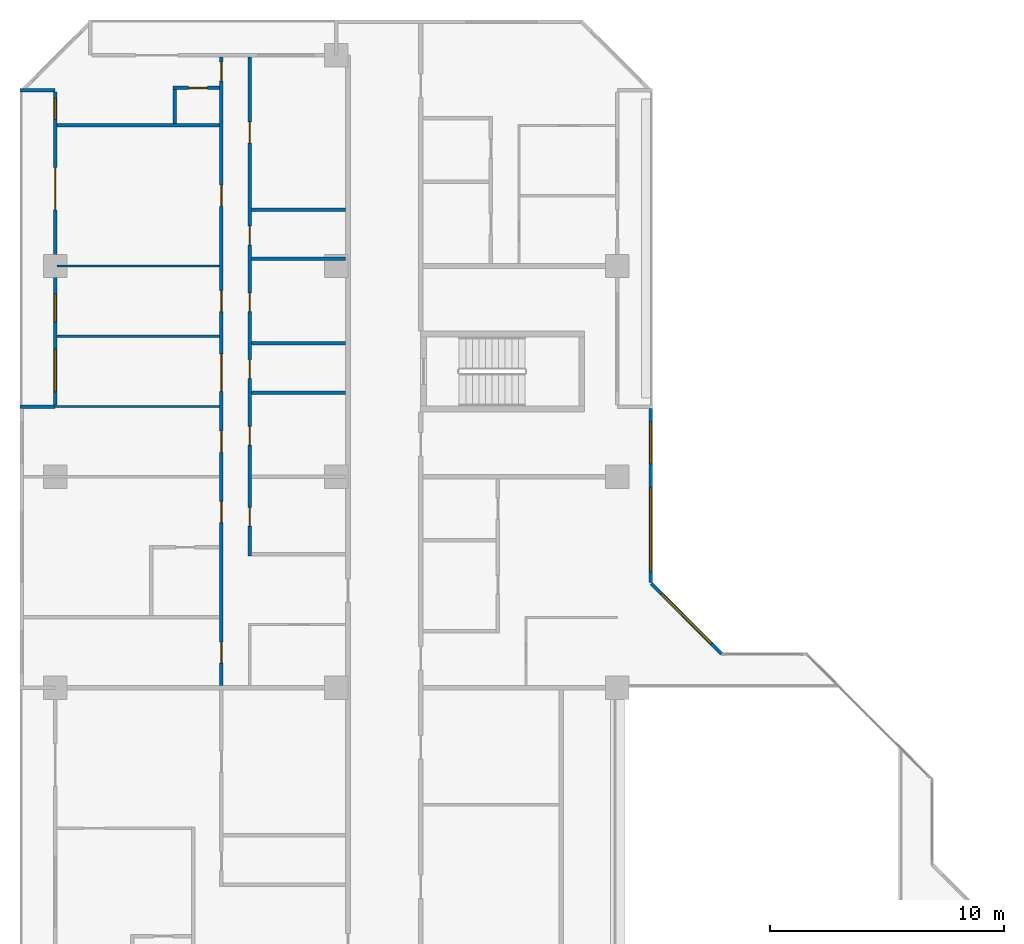
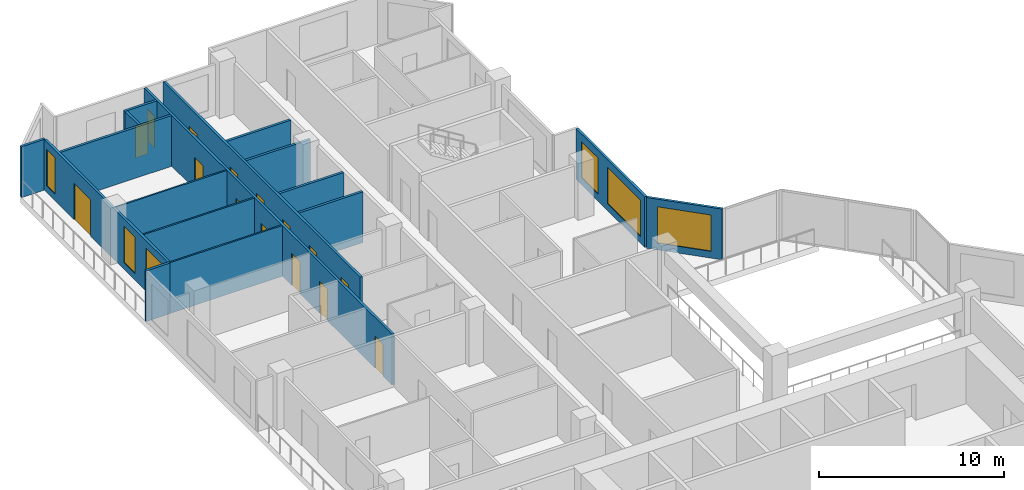
# One storey, part 10 of 15: 17 walls, 15 doors, 6 windows, 21 openings.
"""IFC4 building model written with IfcOpenShell, lengths in metres."""

from ifc_helpers import new_model, si_unit, direction, frame, frame_2d, origin, place, context, subcontext, project, spatial, rectangle, extrude, material, layer, layer_set, type_object, element, fill, save


model = new_model("IFC4")

# Units and contexts
model_context = context("Model", 3, precision=1e-05, world=origin(), true_north=direction((0.0, 1.0)))
body_context = subcontext(model_context, "Body", "Model", "MODEL_VIEW")
ifc_project = project(units=[si_unit("LENGTHUNIT", "METRE"), si_unit("AREAUNIT", "SQUARE_METRE"), si_unit("VOLUMEUNIT", "CUBIC_METRE"), si_unit("PLANEANGLEUNIT", "RADIAN"), si_unit("MASSUNIT", "GRAM", prefix="KILO")], contexts=[model_context])

# Site, building, storey
site_placement = place(None, origin())
site = spatial("IfcSite", under=ifc_project, at=site_placement, CompositionType="ELEMENT")
building_placement = place(site_placement, origin())
building = spatial("IfcBuilding", under=site, at=building_placement, Name="Chenar Terraces", CompositionType="ELEMENT")
storey_placement = place(building_placement, frame((0.0, 0.0, 125.64990234375)))
storey = spatial("IfcBuildingStorey", under=building, at=storey_placement, Name="L29", CompositionType="ELEMENT", Elevation=125.64990234375)

# Wall, openings, windows
ifc_material_1 = material(Name="Aluminium framed glazing", Category="aluminium")
ifc_layer_1 = layer(ifc_material_1, 0.14990234375)
ifc_layer_set_1 = layer_set([ifc_layer_1], Name="Aluminium framed glazing")
wall_type_1 = type_object("IfcWallType", Name="Glazed flush facade wall 150", PredefinedType="SOLIDWALL", material=ifc_layer_set_1)
wall_1_placement = place(storey_placement, frame((25.425048828125, 40.5, 0.0), z_axis=(0.0, 0.0, 1.0), x_axis=(0.0, 1.0, 0.0)))
wall_1 = element("IfcWall", 1, at=wall_1_placement, inside=storey, type_object=wall_type_1, Name="Glazed flush facade wall", PredefinedType="SOLIDWALL", context=body_context, shape_type="SweptSolid", body=[
    extrude(rectangle(XDim=7.425048828125, YDim=0.14990234375, at=frame_2d((3.71240234375, 0.0))), origin(), (0.0, 0.0, 1.0), 3.35009765625),
])
opening_1_placement = place(wall_1_placement, frame((0.449951171875, 0.0, 0.449951171875)))
opening_1 = element("IfcOpeningElement", 2, at=opening_1_placement, cuts=wall_1, Name="Opening W360x240", PredefinedType="OPENING", context=body_context, shape_type="SweptSolid", body=[
    extrude(rectangle(XDim=3.60009765625, YDim=2.39990234375, at=frame_2d((1.800048828125, 1.199951171875))), frame((0.0, 0.0849609375, 0.0), z_axis=(0.0, -1.0, 0.0), x_axis=(1.0, 0.0, 0.0)), (0.0, 0.0, 1.0), 0.169921875),
])
opening_2_placement = place(wall_1_placement, frame((5.0625, 0.0, 0.449951171875)))
opening_2 = element("IfcOpeningElement", 3, at=opening_2_placement, cuts=wall_1, Name="Opening W180x240", PredefinedType="OPENING", context=body_context, shape_type="SweptSolid", body=[
    extrude(rectangle(XDim=1.800048828125, YDim=2.39990234375, at=frame_2d((0.89990234375, 1.199951171875))), frame((0.0, 0.0849609375, 0.0), z_axis=(0.0, -1.0, 0.0), x_axis=(1.0, 0.0, 0.0)), (0.0, 0.0, 1.0), 0.169921875),
])
ifc_material_2 = material(Name="Low emissivity double glazing, aluminium frame", Category="aluminium")
window_type_1 = type_object("IfcWindowType", Name="Fixed light 1800 x 2400", PartitioningType="SINGLE_PANEL", PredefinedType="WINDOW", material=ifc_material_2)
window_1_placement = place(opening_2_placement, origin())
window_1 = element("IfcWindow", 4, at=window_1_placement, inside=storey, type_object=window_type_1, Name="Window", OverallHeight=2.39990234375, OverallWidth=1.800048828125, PartitioningType="SINGLE_PANEL", PredefinedType="WINDOW", context=body_context, shape_type="SweptSolid", body=[
    extrude(rectangle(XDim=1.800048828125, YDim=2.39990234375, at=frame_2d((0.89990234375, 1.199951171875))), frame((0.0, 0.030029296875, 0.0), z_axis=(0.0, -1.0, 0.0), x_axis=(1.0, 0.0, 0.0)), (0.0, 0.0, 1.0), 0.06005859375),
])
fill(opening_2, window_1)
ifc_material_3 = material(Name="Low emissivity double glazing, aluminium frame", Category="aluminium")
window_type_2 = type_object("IfcWindowType", Name="Fixed light 3600 x 2400", PartitioningType="SINGLE_PANEL", PredefinedType="WINDOW", material=ifc_material_3)
window_2_placement = place(opening_1_placement, origin())
window_2 = element("IfcWindow", 5, at=window_2_placement, inside=storey, type_object=window_type_2, Name="Window", OverallHeight=2.39990234375, OverallWidth=3.60009765625, PartitioningType="SINGLE_PANEL", PredefinedType="WINDOW", context=body_context, shape_type="SweptSolid", body=[
    extrude(rectangle(XDim=3.60009765625, YDim=2.39990234375, at=frame_2d((1.800048828125, 1.199951171875))), frame((0.0, 0.030029296875, 0.0), z_axis=(0.0, -1.0, 0.0), x_axis=(1.0, 0.0, 0.0)), (0.0, 0.0, 1.0), 0.06005859375),
])
fill(opening_1, window_2)

# Wall, openings, windows, door
ifc_material_4 = material(Name="Aluminium framed glazing", Category="aluminium")
ifc_layer_2 = layer(ifc_material_4, 0.14990234375)
ifc_layer_set_2 = layer_set([ifc_layer_2], Name="Aluminium framed glazing")
wall_type_2 = type_object("IfcWallType", Name="Glazed loggia back wall 150", PredefinedType="SOLIDWALL", material=ifc_layer_set_2)
wall_2_placement = place(storey_placement, frame((0.0, 61.425048828125, 0.0), z_axis=(0.0, 0.0, 1.0), x_axis=(0.0, -1.0, 0.0)))
wall_2 = element("IfcWall", 6, at=wall_2_placement, inside=storey, type_object=wall_type_2, Name="Glazed loggia back wall", PredefinedType="SOLIDWALL", context=body_context, shape_type="SweptSolid", body=[
    extrude(rectangle(XDim=13.35009765625, YDim=0.14990234375, at=frame_2d((6.675048828125, 0.0))), origin(), (0.0, 0.0, 1.0), 3.35009765625),
])
opening_3_placement = place(wall_2_placement, frame((0.262451171875, 0.0, 0.449951171875)))
opening_3 = element("IfcOpeningElement", 7, at=opening_3_placement, cuts=wall_2, Name="Opening W90x240", PredefinedType="OPENING", context=body_context, shape_type="SweptSolid", body=[
    extrude(rectangle(XDim=0.89990234375, YDim=2.39990234375, at=frame_2d((0.449951171875, 1.199951171875))), frame((0.0, 0.0849609375, 0.0), z_axis=(0.0, -1.0, 0.0), x_axis=(1.0, 0.0, 0.0)), (0.0, 0.0, 1.0), 0.169921875),
])
opening_4_placement = place(wall_2_placement, frame((3.22509765625, 0.0, 0.0)))
opening_4 = element("IfcOpeningElement", 8, at=opening_4_placement, cuts=wall_2, Name="Opening DL29-G4", PredefinedType="OPENING", context=body_context, shape_type="SweptSolid", body=[
    extrude(rectangle(XDim=1.800048828125, YDim=2.39990234375, at=frame_2d((0.89990234375, 1.199951171875))), frame((0.0, 0.0849609375, 0.0), z_axis=(0.0, -1.0, 0.0), x_axis=(1.0, 0.0, 0.0)), (0.0, 0.0, 1.0), 0.169921875),
])
opening_5_placement = place(wall_2_placement, frame((8.625, 0.0, 0.449951171875)))
opening_5 = element("IfcOpeningElement", 9, at=opening_5_placement, cuts=wall_2, Name="Opening W120x240", PredefinedType="OPENING", context=body_context, shape_type="SweptSolid", body=[
    extrude(rectangle(XDim=1.199951171875, YDim=2.39990234375, at=frame_2d((0.60009765625, 1.199951171875))), frame((0.0, 0.0849609375, 0.0), z_axis=(0.0, -1.0, 0.0), x_axis=(1.0, 0.0, 0.0)), (0.0, 0.0, 1.0), 0.169921875),
])
opening_6_placement = place(wall_2_placement, frame((10.987548828125, 0.0, 0.449951171875)))
opening_6 = element("IfcOpeningElement", 10, at=opening_6_placement, cuts=wall_2, Name="Opening W180x240", PredefinedType="OPENING", context=body_context, shape_type="SweptSolid", body=[
    extrude(rectangle(XDim=1.800048828125, YDim=2.39990234375, at=frame_2d((0.89990234375, 1.199951171875))), frame((0.0, 0.0849609375, 0.0), z_axis=(0.0, -1.0, 0.0), x_axis=(1.0, 0.0, 0.0)), (0.0, 0.0, 1.0), 0.169921875),
])
ifc_material_5 = material(Name="Low emissivity double glazing, aluminium frame", Category="aluminium")
window_type_3 = type_object("IfcWindowType", Name="Fixed light 1200 x 2400", PartitioningType="SINGLE_PANEL", PredefinedType="WINDOW", material=ifc_material_5)
window_3_placement = place(opening_5_placement, origin())
window_3 = element("IfcWindow", 11, at=window_3_placement, inside=storey, type_object=window_type_3, Name="Window", OverallHeight=2.39990234375, OverallWidth=1.199951171875, PartitioningType="SINGLE_PANEL", PredefinedType="WINDOW", context=body_context, shape_type="SweptSolid", body=[
    extrude(rectangle(XDim=1.199951171875, YDim=2.39990234375, at=frame_2d((0.60009765625, 1.199951171875))), frame((0.0, 0.030029296875, 0.0), z_axis=(0.0, -1.0, 0.0), x_axis=(1.0, 0.0, 0.0)), (0.0, 0.0, 1.0), 0.06005859375),
])
fill(opening_5, window_3)
window_4_placement = place(opening_6_placement, origin())
window_4 = element("IfcWindow", 12, at=window_4_placement, inside=storey, type_object=window_type_1, Name="Window", OverallHeight=2.39990234375, OverallWidth=1.800048828125, PartitioningType="SINGLE_PANEL", PredefinedType="WINDOW", context=body_context, shape_type="SweptSolid", body=[
    extrude(rectangle(XDim=1.800048828125, YDim=2.39990234375, at=frame_2d((0.89990234375, 1.199951171875))), frame((0.0, 0.030029296875, 0.0), z_axis=(0.0, -1.0, 0.0), x_axis=(1.0, 0.0, 0.0)), (0.0, 0.0, 1.0), 0.06005859375),
])
fill(opening_6, window_4)
ifc_material_6 = material(Name="Low emissivity double glazing, aluminium frame", Category="aluminium")
window_type_4 = type_object("IfcWindowType", Name="Fixed light 900 x 2400", PartitioningType="SINGLE_PANEL", PredefinedType="WINDOW", material=ifc_material_6)
window_5_placement = place(opening_3_placement, origin())
window_5 = element("IfcWindow", 13, at=window_5_placement, inside=storey, type_object=window_type_4, Name="Window", OverallHeight=2.39990234375, OverallWidth=0.89990234375, PartitioningType="SINGLE_PANEL", PredefinedType="WINDOW", context=body_context, shape_type="SweptSolid", body=[
    extrude(rectangle(XDim=0.89990234375, YDim=2.39990234375, at=frame_2d((0.449951171875, 1.199951171875))), frame((0.0, 0.030029296875, 0.0), z_axis=(0.0, -1.0, 0.0), x_axis=(1.0, 0.0, 0.0)), (0.0, 0.0, 1.0), 0.06005859375),
])
fill(opening_3, window_5)
ifc_material_7 = material(Name="Low emissivity double glazing, aluminium frame", Category="aluminium")
door_type_1 = type_object("IfcDoorType", Name="Loggia glazed double door 1800 x 2400", OperationType="DOUBLE_DOOR_SINGLE_SWING", PredefinedType="DOOR", material=ifc_material_7)
door_1_placement = place(opening_4_placement, frame((1.800048828125, 0.0, 0.0), z_axis=(0.0, 0.0, 1.0), x_axis=(-1.0, 0.0, 0.0)))
door_1 = element("IfcDoor", 14, at=door_1_placement, inside=storey, type_object=door_type_1, Name="Loggia glazed door", OperationType="DOUBLE_DOOR_SINGLE_SWING", OverallHeight=2.39990234375, OverallWidth=1.800048828125, PredefinedType="DOOR", context=body_context, shape_type="SweptSolid", body=[
    extrude(rectangle(XDim=1.800048828125, YDim=2.39990234375, at=frame_2d((0.89990234375, 1.199951171875))), frame((0.0, 0.02490234375, 0.0), z_axis=(0.0, -1.0, 0.0), x_axis=(1.0, 0.0, 0.0)), (0.0, 0.0, 1.0), 0.050048828125),
])
fill(opening_4, door_1)

# Walls
ifc_material_8 = material(Name="Gypsum board on steel studs", Category="steel")
ifc_layer_3 = layer(ifc_material_8, 0.10009765625)
ifc_layer_set_3 = layer_set([ifc_layer_3], Name="Gypsum board on steel studs")
wall_type_3 = type_object("IfcWallType", Name="Gypsum partition 100", PredefinedType="PARTITIONING", material=ifc_layer_set_3)
wall_3_placement = place(storey_placement, frame((0.0, 48.0, 0.0), z_axis=(0.0, 0.0, 1.0), x_axis=(1.0, 0.0, 0.0)))
element("IfcWall", 15, at=wall_3_placement, inside=storey, type_object=wall_type_3, Name="Partition L29-006", PredefinedType="PARTITIONING", context=body_context, shape_type="SweptSolid", body=[
    extrude(rectangle(XDim=7.02490234375, YDim=0.10009765625, at=frame_2d((3.512451171875, 0.0))), origin(), (0.0, 0.0, 1.0), 3.35009765625),
])
for number, where, z_axis, x_axis, name in (
    (16, (0.073974609375, 51.0, 0.0), (0.0, 0.0, 1.0), (1.0, 0.0, 0.0), "Partition L29-008"),
    (17, (0.073974609375, 54.0, 0.0), (0.0, 0.0, 1.0), (1.0, 0.0, 0.0), "Partition L29-009"),
):
    element("IfcWall", number, at=place(storey_placement, frame(where, z_axis=z_axis, x_axis=x_axis)), inside=storey, type_object=wall_type_3, Name=name, PredefinedType="PARTITIONING", context=body_context, shape_type="SweptSolid", body=[
        extrude(rectangle(XDim=6.950927734375, YDim=0.10009765625, at=frame_2d((3.4755859375, 0.0))), origin(), (0.0, 0.0, 1.0), 3.35009765625),
    ])
ifc_material_9 = material(Name="Terracotta cladding on insulated backing", Category="masonry")
ifc_layer_4 = layer(ifc_material_9, 0.14990234375)
ifc_layer_set_4 = layer_set([ifc_layer_4], Name="Terracotta cladding on insulated backing")
wall_type_4 = type_object("IfcWallType", Name="Loggia return wall 150", PredefinedType="SOLIDWALL", material=ifc_layer_set_4)
for number, where, z_axis, x_axis, name in (
    (18, (-1.5, 61.5, 0.0), (0.0, 0.0, 1.0), (1.0, 0.0, 0.0), "Loggia return wall"),
    (19, (-1.5, 48.0, 0.0), (0.0, 0.0, 1.0), (1.0, 0.0, 0.0), "Loggia return wall"),
):
    element("IfcWall", number, at=place(storey_placement, frame(where, z_axis=z_axis, x_axis=x_axis)), inside=storey, type_object=wall_type_4, Name=name, PredefinedType="SOLIDWALL", context=body_context, shape_type="SweptSolid", body=[
        extrude(rectangle(XDim=1.5, YDim=0.14990234375, at=frame_2d((0.75, 0.0))), origin(), (0.0, 0.0, 1.0), 3.35009765625),
    ])

# Wall, opening, window
ifc_material_10 = material(Name="Terracotta cladding on insulated backing", Category="masonry")
ifc_layer_5 = layer(ifc_material_10, 0.14990234375)
ifc_layer_set_5 = layer_set([ifc_layer_5], Name="Terracotta cladding on insulated backing")
wall_type_5 = type_object("IfcWallType", Name="Terracotta rainscreen wall 150", PredefinedType="SOLIDWALL", material=ifc_layer_set_5)
wall_4_placement = place(storey_placement, frame((28.447021484375, 37.447021484375, 0.0), z_axis=(0.0, 0.0, 1.0), x_axis=(-0.707106781187, 0.707106781187, 0.0)))
wall_4 = element("IfcWall", 20, at=wall_4_placement, inside=storey, type_object=wall_type_5, Name="Terracotta rainscreen wall", PredefinedType="SOLIDWALL", context=body_context, shape_type="SweptSolid", body=[
    extrude(rectangle(XDim=4.24267578125, YDim=0.14990234375, at=frame_2d((2.121337890625, 0.0))), origin(), (0.0, 0.0, 1.0), 3.35009765625),
])
opening_7_placement = place(wall_4_placement, frame((0.621337890625, 0.0, 0.449951171875)))
opening_7 = element("IfcOpeningElement", 21, at=opening_7_placement, cuts=wall_4, Name="Opening W300x240", PredefinedType="OPENING", context=body_context, shape_type="SweptSolid", body=[
    extrude(rectangle(XDim=3.0, YDim=2.39990234375, at=frame_2d((1.5, 1.199951171875))), frame((0.0, 0.0849609375, 0.0), z_axis=(0.0, -1.0, 0.0), x_axis=(1.0, 0.0, 0.0)), (0.0, 0.0, 1.0), 0.169921875),
])
ifc_material_11 = material(Name="Low emissivity double glazing, aluminium frame", Category="aluminium")
window_type_5 = type_object("IfcWindowType", Name="Fixed light 3000 x 2400", PartitioningType="SINGLE_PANEL", PredefinedType="WINDOW", material=ifc_material_11)
window_6_placement = place(opening_7_placement, origin())
window_6 = element("IfcWindow", 22, at=window_6_placement, inside=storey, type_object=window_type_5, Name="Window", OverallHeight=2.39990234375, OverallWidth=3.0, PartitioningType="SINGLE_PANEL", PredefinedType="WINDOW", context=body_context, shape_type="SweptSolid", body=[
    extrude(rectangle(XDim=3.0, YDim=2.39990234375, at=frame_2d((1.5, 1.199951171875))), frame((0.0, 0.030029296875, 0.0), z_axis=(0.0, -1.0, 0.0), x_axis=(1.0, 0.0, 0.0)), (0.0, 0.0, 1.0), 0.06005859375),
])
fill(opening_7, window_6)

# Wall
ifc_material_12 = material(Name="Moisture-resistant gypsum board on steel studs", Category="steel")
ifc_layer_6 = layer(ifc_material_12, 0.14990234375)
ifc_layer_set_6 = layer_set([ifc_layer_6], Name="Moisture-resistant gypsum board on steel studs")
wall_type_6 = type_object("IfcWallType", Name="Wet-room partition 150", PredefinedType="PARTITIONING", material=ifc_layer_set_6)
wall_5_placement = place(storey_placement, frame((0.073974609375, 60.0, 0.0), z_axis=(0.0, 0.0, 1.0), x_axis=(1.0, 0.0, 0.0)))
element("IfcWall", 23, at=wall_5_placement, inside=storey, type_object=wall_type_6, Name="Partition L29-010", PredefinedType="PARTITIONING", context=body_context, shape_type="SweptSolid", body=[
    extrude(rectangle(XDim=6.950927734375, YDim=0.14990234375, at=frame_2d((3.4755859375, 0.0))), origin(), (0.0, 0.0, 1.0), 3.35009765625),
])

# Wall, opening, door
wall_6_placement = place(storey_placement, frame((5.02490234375, 61.60009765625, 0.0), z_axis=(0.0, 0.0, 1.0), x_axis=(1.0, 0.0, 0.0)))
wall_6 = element("IfcWall", 24, at=wall_6_placement, inside=storey, type_object=wall_type_6, Name="Partition L29-016", PredefinedType="PARTITIONING", context=body_context, shape_type="SweptSolid", body=[
    extrude(rectangle(XDim=2.0, YDim=0.14990234375, at=frame_2d((1.0, 0.0))), origin(), (0.0, 0.0, 1.0), 3.35009765625),
])
opening_8_placement = place(wall_6_placement, frame((0.675048828125, 0.0, 0.0)))
opening_8 = element("IfcOpeningElement", 25, at=opening_8_placement, cuts=wall_6, Name="Opening DL29-42", PredefinedType="OPENING", context=body_context, shape_type="SweptSolid", body=[
    extrude(rectangle(XDim=0.800048828125, YDim=2.10009765625, at=frame_2d((0.39990234375, 1.050048828125))), frame((0.0, 0.0849609375, 0.0), z_axis=(0.0, -1.0, 0.0), x_axis=(1.0, 0.0, 0.0)), (0.0, 0.0, 1.0), 0.169921875),
])
ifc_material_13 = material(Name="Veneered timber door leaf", Category="wood")
door_type_2 = type_object("IfcDoorType", Name="Door 800 x 2100", OperationType="SINGLE_SWING_LEFT", PredefinedType="DOOR", material=ifc_material_13)
door_2_placement = place(opening_8_placement, frame((0.800048828125, 0.0, 0.0), z_axis=(0.0, 0.0, 1.0), x_axis=(-1.0, 0.0, 0.0)))
door_2 = element("IfcDoor", 26, at=door_2_placement, inside=storey, type_object=door_type_2, Name="Door DL29-42", OperationType="SINGLE_SWING_RIGHT", OverallHeight=2.10009765625, OverallWidth=0.800048828125, PredefinedType="DOOR", context=body_context, shape_type="SweptSolid", body=[
    extrude(rectangle(XDim=0.800048828125, YDim=2.10009765625, at=frame_2d((0.39990234375, 1.050048828125))), frame((0.0, 0.02490234375, 0.0), z_axis=(0.0, -1.0, 0.0), x_axis=(1.0, 0.0, 0.0)), (0.0, 0.0, 1.0), 0.050048828125),
])
fill(opening_8, door_2)

# Wall
wall_7_placement = place(storey_placement, frame((5.10009765625, 60.074951171875, 0.0), z_axis=(0.0, 0.0, 1.0), x_axis=(0.0, 1.0, 0.0)))
element("IfcWall", 27, at=wall_7_placement, inside=storey, type_object=wall_type_6, Name="Partition L29-017", PredefinedType="PARTITIONING", context=body_context, shape_type="SweptSolid", body=[
    extrude(rectangle(XDim=1.449951171875, YDim=0.14990234375, at=frame_2d((0.72509765625, 0.0))), origin(), (0.0, 0.0, 1.0), 3.35009765625),
])

# Wall, openings, doors
wall_8_placement = place(storey_placement, frame((7.10009765625, 36.10009765625, 0.0), z_axis=(0.0, 0.0, 1.0), x_axis=(0.0, 1.0, 0.0)))
wall_8 = element("IfcWall", 28, at=wall_8_placement, inside=storey, type_object=wall_type_6, Name="Partition L29-020", PredefinedType="PARTITIONING", context=body_context, shape_type="SweptSolid", body=[
    extrude(rectangle(XDim=26.825927734375, YDim=0.14990234375, at=frame_2d((13.4130859375, 0.0))), origin(), (0.0, 0.0, 1.0), 3.35009765625),
])
opening_9_placement = place(wall_8_placement, frame((0.949951171875, 0.0, 0.0)))
opening_9 = element("IfcOpeningElement", 29, at=opening_9_placement, cuts=wall_8, Name="Opening DL29-33", PredefinedType="OPENING", context=body_context, shape_type="SweptSolid", body=[
    extrude(rectangle(XDim=0.89990234375, YDim=2.10009765625, at=frame_2d((0.449951171875, 1.050048828125))), frame((0.0, 0.0849609375, 0.0), z_axis=(0.0, -1.0, 0.0), x_axis=(1.0, 0.0, 0.0)), (0.0, 0.0, 1.0), 0.169921875),
])
opening_10_placement = place(wall_8_placement, frame((9.949951171875, 0.0, 0.0)))
opening_10 = element("IfcOpeningElement", 30, at=opening_10_placement, cuts=wall_8, Name="Opening DL29-34", PredefinedType="OPENING", context=body_context, shape_type="SweptSolid", body=[
    extrude(rectangle(XDim=0.89990234375, YDim=2.10009765625, at=frame_2d((0.449951171875, 1.050048828125))), frame((0.0, 0.0849609375, 0.0), z_axis=(0.0, -1.0, 0.0), x_axis=(1.0, 0.0, 0.0)), (0.0, 0.0, 1.0), 0.169921875),
])
opening_11_placement = place(wall_8_placement, frame((6.949951171875, 0.0, 0.0)))
opening_11 = element("IfcOpeningElement", 31, at=opening_11_placement, cuts=wall_8, Name="Opening DL29-35", PredefinedType="OPENING", context=body_context, shape_type="SweptSolid", body=[
    extrude(rectangle(XDim=0.89990234375, YDim=2.10009765625, at=frame_2d((0.449951171875, 1.050048828125))), frame((0.0, 0.0849609375, 0.0), z_axis=(0.0, -1.0, 0.0), x_axis=(1.0, 0.0, 0.0)), (0.0, 0.0, 1.0), 0.169921875),
])
opening_12_placement = place(wall_8_placement, frame((20.449951171875, 0.0, 0.0)))
opening_12 = element("IfcOpeningElement", 32, at=opening_12_placement, cuts=wall_8, Name="Opening DL29-40", PredefinedType="OPENING", context=body_context, shape_type="SweptSolid", body=[
    extrude(rectangle(XDim=0.89990234375, YDim=2.10009765625, at=frame_2d((0.449951171875, 1.050048828125))), frame((0.0, 0.0849609375, 0.0), z_axis=(0.0, -1.0, 0.0), x_axis=(1.0, 0.0, 0.0)), (0.0, 0.0, 1.0), 0.169921875),
])
opening_13_placement = place(wall_8_placement, frame((25.800048828125, 0.0, 0.0)))
opening_13 = element("IfcOpeningElement", 33, at=opening_13_placement, cuts=wall_8, Name="Opening DL29-41", PredefinedType="OPENING", context=body_context, shape_type="SweptSolid", body=[
    extrude(rectangle(XDim=0.800048828125, YDim=2.10009765625, at=frame_2d((0.39990234375, 1.050048828125))), frame((0.0, 0.0849609375, 0.0), z_axis=(0.0, -1.0, 0.0), x_axis=(1.0, 0.0, 0.0)), (0.0, 0.0, 1.0), 0.169921875),
])
opening_14_placement = place(wall_8_placement, frame((12.550048828125, 0.0, 0.0)))
opening_14 = element("IfcOpeningElement", 34, at=opening_14_placement, cuts=wall_8, Name="Opening DL29-43", PredefinedType="OPENING", context=body_context, shape_type="SweptSolid", body=[
    extrude(rectangle(XDim=1.60009765625, YDim=2.10009765625, at=frame_2d((0.800048828125, 1.050048828125))), frame((0.0, 0.0849609375, 0.0), z_axis=(0.0, -1.0, 0.0), x_axis=(1.0, 0.0, 0.0)), (0.0, 0.0, 1.0), 0.169921875),
])
opening_15_placement = place(wall_8_placement, frame((15.949951171875, 0.0, 0.0)))
opening_15 = element("IfcOpeningElement", 35, at=opening_15_placement, cuts=wall_8, Name="Opening DL29-45", PredefinedType="OPENING", context=body_context, shape_type="SweptSolid", body=[
    extrude(rectangle(XDim=0.89990234375, YDim=2.10009765625, at=frame_2d((0.449951171875, 1.050048828125))), frame((0.0, 0.0849609375, 0.0), z_axis=(0.0, -1.0, 0.0), x_axis=(1.0, 0.0, 0.0)), (0.0, 0.0, 1.0), 0.169921875),
])
door_3_placement = place(opening_13_placement, origin())
door_3 = element("IfcDoor", 36, at=door_3_placement, inside=storey, type_object=door_type_2, Name="Door DL29-41", OperationType="SINGLE_SWING_RIGHT", OverallHeight=2.10009765625, OverallWidth=0.800048828125, PredefinedType="DOOR", context=body_context, shape_type="SweptSolid", body=[
    extrude(rectangle(XDim=0.800048828125, YDim=2.10009765625, at=frame_2d((0.39990234375, 1.050048828125))), frame((0.0, 0.02490234375, 0.0), z_axis=(0.0, -1.0, 0.0), x_axis=(1.0, 0.0, 0.0)), (0.0, 0.0, 1.0), 0.050048828125),
])
fill(opening_13, door_3)
ifc_material_14 = material(Name="Veneered timber door leaf", Category="wood")
door_type_3 = type_object("IfcDoorType", Name="Door 900 x 2100", OperationType="SINGLE_SWING_LEFT", PredefinedType="DOOR", material=ifc_material_14)
door_4_placement = place(opening_9_placement, origin())
door_4 = element("IfcDoor", 37, at=door_4_placement, inside=storey, type_object=door_type_3, Name="Door DL29-33", OperationType="SINGLE_SWING_RIGHT", OverallHeight=2.10009765625, OverallWidth=0.89990234375, PredefinedType="DOOR", context=body_context, shape_type="SweptSolid", body=[
    extrude(rectangle(XDim=0.89990234375, YDim=2.10009765625, at=frame_2d((0.449951171875, 1.050048828125))), frame((0.0, 0.02490234375, 0.0), z_axis=(0.0, -1.0, 0.0), x_axis=(1.0, 0.0, 0.0)), (0.0, 0.0, 1.0), 0.050048828125),
])
fill(opening_9, door_4)
door_5_placement = place(opening_10_placement, origin())
door_5 = element("IfcDoor", 38, at=door_5_placement, inside=storey, type_object=door_type_3, Name="Door DL29-34", OperationType="SINGLE_SWING_RIGHT", OverallHeight=2.10009765625, OverallWidth=0.89990234375, PredefinedType="DOOR", context=body_context, shape_type="SweptSolid", body=[
    extrude(rectangle(XDim=0.89990234375, YDim=2.10009765625, at=frame_2d((0.449951171875, 1.050048828125))), frame((0.0, 0.02490234375, 0.0), z_axis=(0.0, -1.0, 0.0), x_axis=(1.0, 0.0, 0.0)), (0.0, 0.0, 1.0), 0.050048828125),
])
fill(opening_10, door_5)
door_6_placement = place(opening_11_placement, origin())
door_6 = element("IfcDoor", 39, at=door_6_placement, inside=storey, type_object=door_type_3, Name="Door DL29-35", OperationType="SINGLE_SWING_RIGHT", OverallHeight=2.10009765625, OverallWidth=0.89990234375, PredefinedType="DOOR", context=body_context, shape_type="SweptSolid", body=[
    extrude(rectangle(XDim=0.89990234375, YDim=2.10009765625, at=frame_2d((0.449951171875, 1.050048828125))), frame((0.0, 0.02490234375, 0.0), z_axis=(0.0, -1.0, 0.0), x_axis=(1.0, 0.0, 0.0)), (0.0, 0.0, 1.0), 0.050048828125),
])
fill(opening_11, door_6)
door_7_placement = place(opening_12_placement, origin())
door_7 = element("IfcDoor", 40, at=door_7_placement, inside=storey, type_object=door_type_3, Name="Door DL29-40", OperationType="SINGLE_SWING_RIGHT", OverallHeight=2.10009765625, OverallWidth=0.89990234375, PredefinedType="DOOR", context=body_context, shape_type="SweptSolid", body=[
    extrude(rectangle(XDim=0.89990234375, YDim=2.10009765625, at=frame_2d((0.449951171875, 1.050048828125))), frame((0.0, 0.02490234375, 0.0), z_axis=(0.0, -1.0, 0.0), x_axis=(1.0, 0.0, 0.0)), (0.0, 0.0, 1.0), 0.050048828125),
])
fill(opening_12, door_7)
door_8_placement = place(opening_15_placement, origin())
door_8 = element("IfcDoor", 41, at=door_8_placement, inside=storey, type_object=door_type_3, Name="Door DL29-45", OperationType="SINGLE_SWING_RIGHT", OverallHeight=2.10009765625, OverallWidth=0.89990234375, PredefinedType="DOOR", context=body_context, shape_type="SweptSolid", body=[
    extrude(rectangle(XDim=0.89990234375, YDim=2.10009765625, at=frame_2d((0.449951171875, 1.050048828125))), frame((0.0, 0.02490234375, 0.0), z_axis=(0.0, -1.0, 0.0), x_axis=(1.0, 0.0, 0.0)), (0.0, 0.0, 1.0), 0.050048828125),
])
fill(opening_15, door_8)
ifc_material_15 = material(Name="Veneered timber door leaf", Category="wood")
door_type_4 = type_object("IfcDoorType", Name="Double door 1600 x 2100", OperationType="DOUBLE_DOOR_SINGLE_SWING", PredefinedType="DOOR", material=ifc_material_15)
door_9_placement = place(opening_14_placement, origin())
door_9 = element("IfcDoor", 42, at=door_9_placement, inside=storey, type_object=door_type_4, Name="Door DL29-43", OperationType="DOUBLE_DOOR_SINGLE_SWING", OverallHeight=2.10009765625, OverallWidth=1.60009765625, PredefinedType="DOOR", context=body_context, shape_type="SweptSolid", body=[
    extrude(rectangle(XDim=1.60009765625, YDim=2.10009765625, at=frame_2d((0.800048828125, 1.050048828125))), frame((0.0, 0.02490234375, 0.0), z_axis=(0.0, -1.0, 0.0), x_axis=(1.0, 0.0, 0.0)), (0.0, 0.0, 1.0), 0.050048828125),
])
fill(opening_14, door_9)

wall_9_placement = place(storey_placement, frame((8.300048828125, 41.625, 0.0), z_axis=(0.0, 0.0, 1.0), x_axis=(0.0, 1.0, 0.0)))
wall_9 = element("IfcWall", 43, at=wall_9_placement, inside=storey, type_object=wall_type_6, Name="Partition L29-025", PredefinedType="PARTITIONING", context=body_context, shape_type="SweptSolid", body=[
    extrude(rectangle(XDim=21.301025390625, YDim=0.14990234375, at=frame_2d((10.650390625, 0.0))), origin(), (0.0, 0.0, 1.0), 3.35009765625),
])
opening_16_placement = place(wall_9_placement, frame((4.72509765625, 0.0, 0.0)))
opening_16 = element("IfcOpeningElement", 44, at=opening_16_placement, cuts=wall_9, Name="Opening DL29-32", PredefinedType="OPENING", context=body_context, shape_type="SweptSolid", body=[
    extrude(rectangle(XDim=0.800048828125, YDim=2.10009765625, at=frame_2d((0.39990234375, 1.050048828125))), frame((0.0, 0.0849609375, 0.0), z_axis=(0.0, -1.0, 0.0), x_axis=(1.0, 0.0, 0.0)), (0.0, 0.0, 1.0), 0.169921875),
])
opening_17_placement = place(wall_9_placement, frame((17.625, 0.0, 0.0)))
opening_17 = element("IfcOpeningElement", 45, at=opening_17_placement, cuts=wall_9, Name="Opening DL29-38", PredefinedType="OPENING", context=body_context, shape_type="SweptSolid", body=[
    extrude(rectangle(XDim=0.89990234375, YDim=2.10009765625, at=frame_2d((0.449951171875, 1.050048828125))), frame((0.0, 0.0849609375, 0.0), z_axis=(0.0, -1.0, 0.0), x_axis=(1.0, 0.0, 0.0)), (0.0, 0.0, 1.0), 0.169921875),
])
opening_18_placement = place(wall_9_placement, frame((1.27490234375, 0.0, 0.0)))
opening_18 = element("IfcOpeningElement", 46, at=opening_18_placement, cuts=wall_9, Name="Opening DL29-39", PredefinedType="OPENING", context=body_context, shape_type="SweptSolid", body=[
    extrude(rectangle(XDim=0.800048828125, YDim=2.10009765625, at=frame_2d((0.39990234375, 1.050048828125))), frame((0.0, 0.0849609375, 0.0), z_axis=(0.0, -1.0, 0.0), x_axis=(1.0, 0.0, 0.0)), (0.0, 0.0, 1.0), 0.169921875),
])
opening_19_placement = place(wall_9_placement, frame((7.574951171875, 0.0, 0.0)))
opening_19 = element("IfcOpeningElement", 47, at=opening_19_placement, cuts=wall_9, Name="Opening DL29-46", PredefinedType="OPENING", context=body_context, shape_type="SweptSolid", body=[
    extrude(rectangle(XDim=0.800048828125, YDim=2.10009765625, at=frame_2d((0.39990234375, 1.050048828125))), frame((0.0, 0.0849609375, 0.0), z_axis=(0.0, -1.0, 0.0), x_axis=(1.0, 0.0, 0.0)), (0.0, 0.0, 1.0), 0.169921875),
])
opening_20_placement = place(wall_9_placement, frame((10.425048828125, 0.0, 0.0)))
opening_20 = element("IfcOpeningElement", 48, at=opening_20_placement, cuts=wall_9, Name="Opening DL29-47", PredefinedType="OPENING", context=body_context, shape_type="SweptSolid", body=[
    extrude(rectangle(XDim=0.800048828125, YDim=2.10009765625, at=frame_2d((0.39990234375, 1.050048828125))), frame((0.0, 0.0849609375, 0.0), z_axis=(0.0, -1.0, 0.0), x_axis=(1.0, 0.0, 0.0)), (0.0, 0.0, 1.0), 0.169921875),
])
opening_21_placement = place(wall_9_placement, frame((13.27490234375, 0.0, 0.0)))
opening_21 = element("IfcOpeningElement", 49, at=opening_21_placement, cuts=wall_9, Name="Opening DL29-48", PredefinedType="OPENING", context=body_context, shape_type="SweptSolid", body=[
    extrude(rectangle(XDim=0.800048828125, YDim=2.10009765625, at=frame_2d((0.39990234375, 1.050048828125))), frame((0.0, 0.0849609375, 0.0), z_axis=(0.0, -1.0, 0.0), x_axis=(1.0, 0.0, 0.0)), (0.0, 0.0, 1.0), 0.169921875),
])
door_10_placement = place(opening_16_placement, frame((0.800048828125, 0.0, 0.0), z_axis=(0.0, 0.0, 1.0), x_axis=(-1.0, 0.0, 0.0)))
door_10 = element("IfcDoor", 50, at=door_10_placement, inside=storey, type_object=door_type_2, Name="Door DL29-32", OperationType="SINGLE_SWING_RIGHT", OverallHeight=2.10009765625, OverallWidth=0.800048828125, PredefinedType="DOOR", context=body_context, shape_type="SweptSolid", body=[
    extrude(rectangle(XDim=0.800048828125, YDim=2.10009765625, at=frame_2d((0.39990234375, 1.050048828125))), frame((0.0, 0.02490234375, 0.0), z_axis=(0.0, -1.0, 0.0), x_axis=(1.0, 0.0, 0.0)), (0.0, 0.0, 1.0), 0.050048828125),
])
fill(opening_16, door_10)
door_11_placement = place(opening_18_placement, frame((0.800048828125, 0.0, 0.0), z_axis=(0.0, 0.0, 1.0), x_axis=(-1.0, 0.0, 0.0)))
door_11 = element("IfcDoor", 51, at=door_11_placement, inside=storey, type_object=door_type_2, Name="Door DL29-39", OperationType="SINGLE_SWING_RIGHT", OverallHeight=2.10009765625, OverallWidth=0.800048828125, PredefinedType="DOOR", context=body_context, shape_type="SweptSolid", body=[
    extrude(rectangle(XDim=0.800048828125, YDim=2.10009765625, at=frame_2d((0.39990234375, 1.050048828125))), frame((0.0, 0.02490234375, 0.0), z_axis=(0.0, -1.0, 0.0), x_axis=(1.0, 0.0, 0.0)), (0.0, 0.0, 1.0), 0.050048828125),
])
fill(opening_18, door_11)
door_12_placement = place(opening_19_placement, frame((0.800048828125, 0.0, 0.0), z_axis=(0.0, 0.0, 1.0), x_axis=(-1.0, 0.0, 0.0)))
door_12 = element("IfcDoor", 52, at=door_12_placement, inside=storey, type_object=door_type_2, Name="Door DL29-46", OperationType="SINGLE_SWING_RIGHT", OverallHeight=2.10009765625, OverallWidth=0.800048828125, PredefinedType="DOOR", context=body_context, shape_type="SweptSolid", body=[
    extrude(rectangle(XDim=0.800048828125, YDim=2.10009765625, at=frame_2d((0.39990234375, 1.050048828125))), frame((0.0, 0.02490234375, 0.0), z_axis=(0.0, -1.0, 0.0), x_axis=(1.0, 0.0, 0.0)), (0.0, 0.0, 1.0), 0.050048828125),
])
fill(opening_19, door_12)
door_13_placement = place(opening_20_placement, frame((0.800048828125, 0.0, 0.0), z_axis=(0.0, 0.0, 1.0), x_axis=(-1.0, 0.0, 0.0)))
door_13 = element("IfcDoor", 53, at=door_13_placement, inside=storey, type_object=door_type_2, Name="Door DL29-47", OperationType="SINGLE_SWING_RIGHT", OverallHeight=2.10009765625, OverallWidth=0.800048828125, PredefinedType="DOOR", context=body_context, shape_type="SweptSolid", body=[
    extrude(rectangle(XDim=0.800048828125, YDim=2.10009765625, at=frame_2d((0.39990234375, 1.050048828125))), frame((0.0, 0.02490234375, 0.0), z_axis=(0.0, -1.0, 0.0), x_axis=(1.0, 0.0, 0.0)), (0.0, 0.0, 1.0), 0.050048828125),
])
fill(opening_20, door_13)
door_14_placement = place(opening_21_placement, frame((0.800048828125, 0.0, 0.0), z_axis=(0.0, 0.0, 1.0), x_axis=(-1.0, 0.0, 0.0)))
door_14 = element("IfcDoor", 54, at=door_14_placement, inside=storey, type_object=door_type_2, Name="Door DL29-48", OperationType="SINGLE_SWING_RIGHT", OverallHeight=2.10009765625, OverallWidth=0.800048828125, PredefinedType="DOOR", context=body_context, shape_type="SweptSolid", body=[
    extrude(rectangle(XDim=0.800048828125, YDim=2.10009765625, at=frame_2d((0.39990234375, 1.050048828125))), frame((0.0, 0.02490234375, 0.0), z_axis=(0.0, -1.0, 0.0), x_axis=(1.0, 0.0, 0.0)), (0.0, 0.0, 1.0), 0.050048828125),
])
fill(opening_21, door_14)
door_15_placement = place(opening_17_placement, frame((0.89990234375, 0.0, 0.0), z_axis=(0.0, 0.0, 1.0), x_axis=(-1.0, 0.0, 0.0)))
door_15 = element("IfcDoor", 55, at=door_15_placement, inside=storey, type_object=door_type_3, Name="Door DL29-38", OperationType="SINGLE_SWING_LEFT", OverallHeight=2.10009765625, OverallWidth=0.89990234375, PredefinedType="DOOR", context=body_context, shape_type="SweptSolid", body=[
    extrude(rectangle(XDim=0.89990234375, YDim=2.10009765625, at=frame_2d((0.449951171875, 1.050048828125))), frame((0.0, 0.02490234375, 0.0), z_axis=(0.0, -1.0, 0.0), x_axis=(1.0, 0.0, 0.0)), (0.0, 0.0, 1.0), 0.050048828125),
])
fill(opening_17, door_15)

# Walls
for number, where, z_axis, x_axis, name in (
    (56, (8.375, 48.60009765625, 0.0), (0.0, 0.0, 1.0), (1.0, 0.0, 0.0), "Partition L29-028"),
    (57, (8.375, 50.699951171875, 0.0), (0.0, 0.0, 1.0), (1.0, 0.0, 0.0), "Partition L29-029"),
    (58, (8.375, 54.300048828125, 0.0), (0.0, 0.0, 1.0), (1.0, 0.0, 0.0), "Partition L29-030"),
    (59, (8.375, 56.39990234375, 0.0), (0.0, 0.0, 1.0), (1.0, 0.0, 0.0), "Partition L29-031"),
):
    element("IfcWall", number, at=place(storey_placement, frame(where, z_axis=z_axis, x_axis=x_axis)), inside=storey, type_object=wall_type_6, Name=name, PredefinedType="PARTITIONING", context=body_context, shape_type="SweptSolid", body=[
        extrude(rectangle(XDim=4.02490234375, YDim=0.14990234375, at=frame_2d((2.012451171875, 0.0))), origin(), (0.0, 0.0, 1.0), 3.35009765625),
    ])

save(model, "model.ifc")
